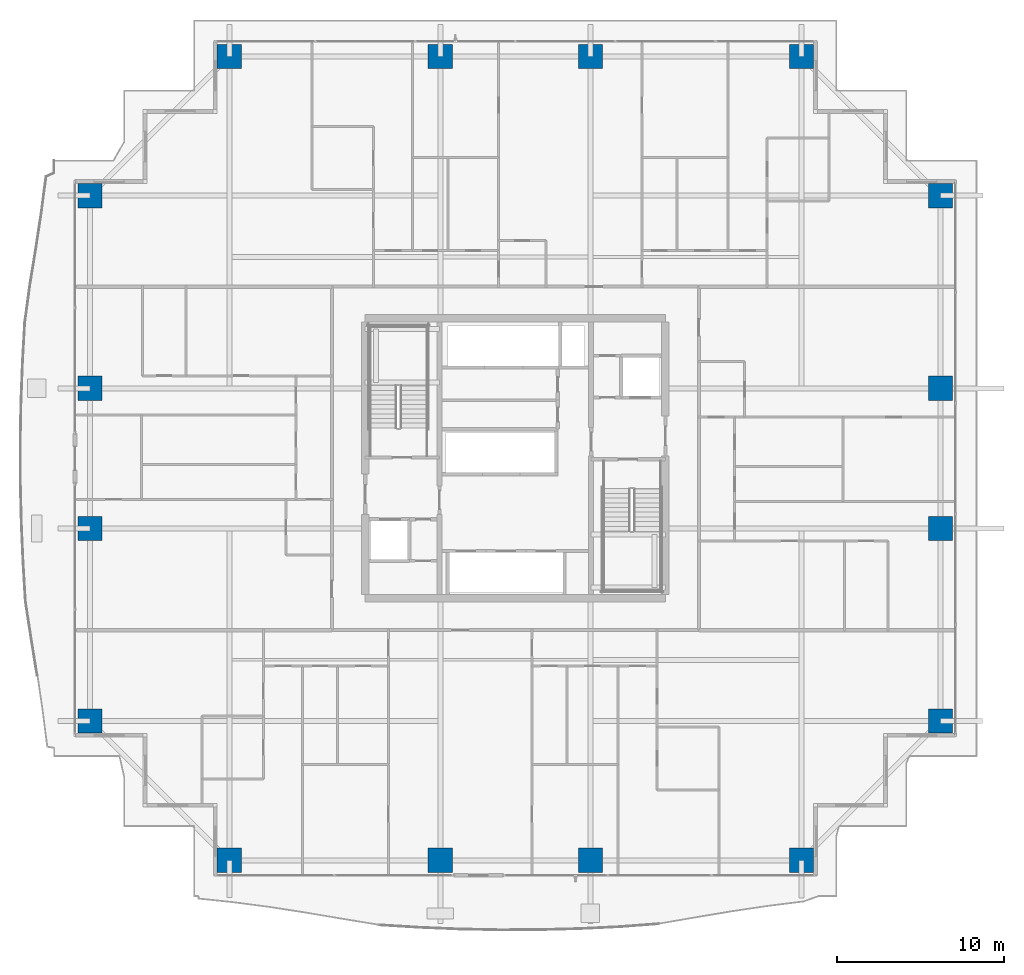
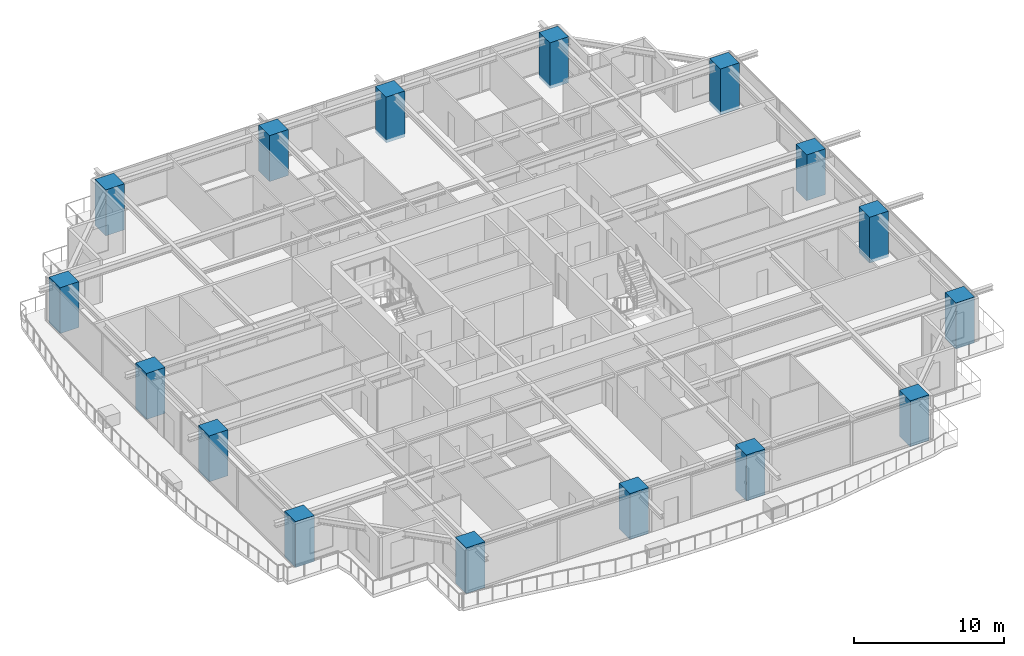
# One storey, part 1 of 41: 16 columns.
"""IFC4 building model written with IfcOpenShell, lengths in metres."""

from ifc_helpers import new_model, si_unit, direction, frame, origin, origin_2d, place, context, subcontext, project, spatial, rectangle, extrude, source, transform, mapped, material, material_profile, profile_set, type_object, element, save


model = new_model("IFC4")

# Units and contexts
model_context = context("Model", 3, precision=1e-05, world=origin(), true_north=direction((0.0, 1.0)))
body_context = subcontext(model_context, "Body", "Model", "MODEL_VIEW")
ifc_project = project(units=[si_unit("LENGTHUNIT", "METRE"), si_unit("AREAUNIT", "SQUARE_METRE"), si_unit("VOLUMEUNIT", "CUBIC_METRE"), si_unit("PLANEANGLEUNIT", "RADIAN"), si_unit("MASSUNIT", "GRAM", prefix="KILO")], contexts=[model_context])

# Site, building, storey
site_placement = place(None, origin())
site = spatial("IfcSite", under=ifc_project, at=site_placement, CompositionType="ELEMENT")
building_placement = place(site_placement, origin())
building = spatial("IfcBuilding", under=site, at=building_placement, Name="Serunith Strait Residences", CompositionType="ELEMENT")
storey_placement = place(building_placement, frame((0.0, 0.0, 75.449951171875)))
storey = spatial("IfcBuildingStorey", under=building, at=storey_placement, Name="L18", CompositionType="ELEMENT", Elevation=75.449951171875)

# Columns
ifc_material = material(Name="Concrete C90/105", Category="concrete")
ifc_material_profile = material_profile(ifc_material, rectangle(XDim=1.449951171875, YDim=1.449951171875, at=origin_2d()), Name="RC 1450x1450")
ifc_profile_set = profile_set([ifc_material_profile], Name="Concrete C90/105")
column_type = type_object("IfcColumnType", Name="COL-RC-1450", PredefinedType="COLUMN", material=ifc_profile_set)
shared_shape = source(origin(), body_context, "Body", "SweptSolid", [
    extrude(rectangle(XDim=1.449951171875, YDim=1.449951171875, at=origin_2d()), origin(), (0.0, 0.0, 1.0), 3.75),
])
for number, where, z_axis, x_axis, name in (
    (1, (15.25, 1.10009765625, -0.260009765625), (0.0, 0.0, 1.0), (1.0, 0.0, 0.0), "L18 Tower Mega-Column TC-S1"),
    (2, (27.89990234375, 1.10009765625, -0.260009765625), (0.0, 0.0, 1.0), (1.0, 0.0, 0.0), "L18 Tower Mega-Column TC-S2"),
    (3, (36.89990234375, 1.10009765625, -0.260009765625), (0.0, 0.0, 1.0), (1.0, 0.0, 0.0), "L18 Tower Mega-Column TC-S3"),
    (4, (49.550048828125, 1.10009765625, -0.260009765625), (0.0, 0.0, 1.0), (1.0, 0.0, 0.0), "L18 Tower Mega-Column TC-S4"),
    (5, (15.25, 49.300048828125, -0.260009765625), (0.0, 0.0, 1.0), (1.0, 0.0, 0.0), "L18 Tower Mega-Column TC-N1"),
    (6, (27.89990234375, 49.300048828125, -0.260009765625), (0.0, 0.0, 1.0), (1.0, 0.0, 0.0), "L18 Tower Mega-Column TC-N2"),
    (7, (36.89990234375, 49.300048828125, -0.260009765625), (0.0, 0.0, 1.0), (1.0, 0.0, 0.0), "L18 Tower Mega-Column TC-N3"),
    (8, (49.550048828125, 49.300048828125, -0.260009765625), (0.0, 0.0, 1.0), (1.0, 0.0, 0.0), "L18 Tower Mega-Column TC-N4"),
    (9, (57.89990234375, 9.449951171875, -0.260009765625), (0.0, 0.0, 1.0), (1.0, 0.0, 0.0), "L18 Tower Mega-Column TC-E1"),
    (10, (57.89990234375, 21.0, -0.260009765625), (0.0, 0.0, 1.0), (1.0, 0.0, 0.0), "L18 Tower Mega-Column TC-E2"),
    (11, (57.89990234375, 29.39990234375, -0.260009765625), (0.0, 0.0, 1.0), (1.0, 0.0, 0.0), "L18 Tower Mega-Column TC-E3"),
    (12, (57.89990234375, 40.949951171875, -0.260009765625), (0.0, 0.0, 1.0), (1.0, 0.0, 0.0), "L18 Tower Mega-Column TC-E4"),
    (13, (6.89990234375, 9.449951171875, -0.260009765625), (0.0, 0.0, 1.0), (1.0, 0.0, 0.0), "L18 Tower Mega-Column TC-W1"),
    (14, (6.89990234375, 21.0, -0.260009765625), (0.0, 0.0, 1.0), (1.0, 0.0, 0.0), "L18 Tower Mega-Column TC-W2"),
    (15, (6.89990234375, 29.39990234375, -0.260009765625), (0.0, 0.0, 1.0), (1.0, 0.0, 0.0), "L18 Tower Mega-Column TC-W3"),
    (16, (6.89990234375, 40.949951171875, -0.260009765625), (0.0, 0.0, 1.0), (1.0, 0.0, 0.0), "L18 Tower Mega-Column TC-W4"),
):
    element("IfcColumn", number, at=place(storey_placement, frame(where, z_axis=z_axis, x_axis=x_axis)), inside=storey, type_object=column_type, Name=name, PredefinedType="COLUMN", context=body_context, shape_type="MappedRepresentation", body=[
        mapped(shared_shape, transform((0.0, 0.0, 0.0), scale=1.0)),
    ])

save(model, "model.ifc")
